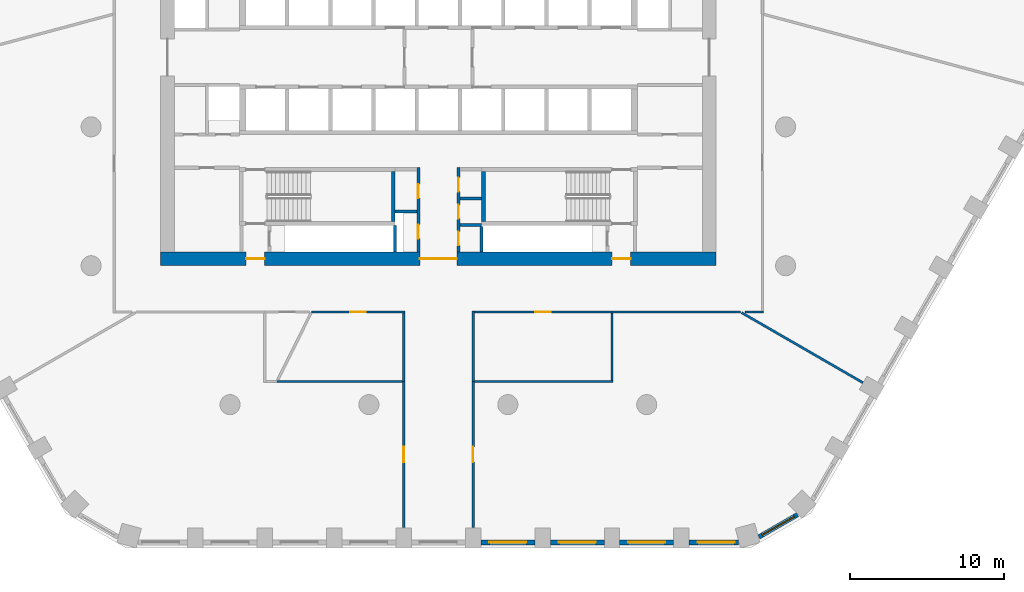
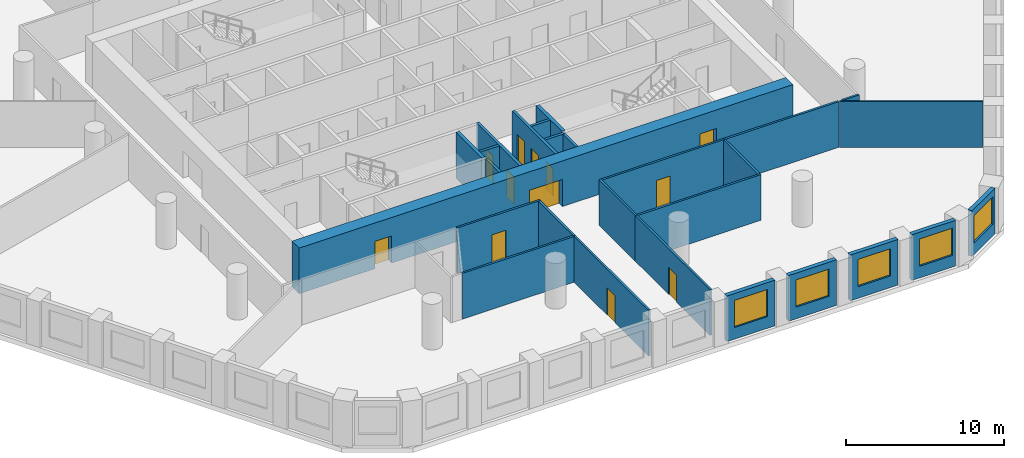
# One storey, part 3 of 9: 27 walls, 12 doors, 5 windows, 17 openings.
"""IFC4 building model written with IfcOpenShell, lengths in metres."""

from ifc_helpers import new_model, si_unit, direction, frame, frame_2d, origin, place, context, subcontext, project, spatial, rectangle, extrude, material, layer, layer_set, type_object, element, fill, save


model = new_model("IFC4")

# Units and contexts
model_context = context("Model", 3, precision=1e-05, world=origin(), true_north=direction((0.0, 1.0)))
body_context = subcontext(model_context, "Body", "Model", "MODEL_VIEW")
ifc_project = project(units=[si_unit("LENGTHUNIT", "METRE"), si_unit("AREAUNIT", "SQUARE_METRE"), si_unit("VOLUMEUNIT", "CUBIC_METRE"), si_unit("PLANEANGLEUNIT", "RADIAN"), si_unit("MASSUNIT", "GRAM", prefix="KILO")], contexts=[model_context])

# Site, building, storey
site_placement = place(None, origin())
site = spatial("IfcSite", under=ifc_project, at=site_placement, CompositionType="ELEMENT")
building_placement = place(site_placement, origin())
building = spatial("IfcBuilding", under=site, at=building_placement, Name="Dhurran Vertical Campus", CompositionType="ELEMENT")
storey_placement = place(building_placement, frame((0.0, 0.0, 120.300048828125)))
storey = spatial("IfcBuildingStorey", under=building, at=storey_placement, Name="L29", CompositionType="ELEMENT", Elevation=120.300048828125)

# Wall, opening, window
ifc_material_1 = material(Name="Precast concrete C50/60", Category="concrete")
ifc_layer_1 = layer(ifc_material_1, 0.300048828125)
ifc_layer_set_1 = layer_set([ifc_layer_1], Name="Precast concrete C50/60")
wall_type_1 = type_object("IfcWallType", Name="Precast spandrel wall 300", PredefinedType="SOLIDWALL", material=ifc_layer_set_1)
wall_1_placement = place(storey_placement, frame((2.75048828125, -31.4296875, 0.0), z_axis=(0.0, 0.0, 1.0), x_axis=(1.0, 0.0, 0.0)))
wall_1 = element("IfcWall", 1, at=wall_1_placement, inside=storey, type_object=wall_type_1, Name="EW1 L29.05", PredefinedType="SOLIDWALL", context=body_context, shape_type="SweptSolid", body=[
    extrude(rectangle(XDim=3.4990234375, YDim=0.300048828125, at=frame_2d((1.74951171875, 0.0))), origin(), (0.0, 0.0, 1.0), 3.52490234375),
])
opening_1_placement = place(wall_1_placement, frame((0.549560546875, 0.0, 0.89990234375)))
opening_1 = element("IfcOpeningElement", 2, at=opening_1_placement, cuts=wall_1, Name="Opening WT1", PredefinedType="OPENING", context=body_context, shape_type="SweptSolid", body=[
    extrude(rectangle(XDim=2.39990234375, YDim=2.10009765625, at=frame_2d((1.199951171875, 1.050048828125))), frame((0.0, 0.159912109375, 0.0), z_axis=(0.0, -1.0, 0.0), x_axis=(1.0, 0.0, 0.0)), (0.0, 0.0, 1.0), 0.320068359375),
])
ifc_material_2 = material(Name="Aluminium frame with solar-control glass", Category="aluminium")
window_type = type_object("IfcWindowType", Name="Punched window 2400 x 2100", PartitioningType="SINGLE_PANEL", PredefinedType="WINDOW", material=ifc_material_2)
window_1_placement = place(opening_1_placement, origin())
window_1 = element("IfcWindow", 3, at=window_1_placement, inside=storey, type_object=window_type, Name="WT1 L29.05", OverallHeight=2.10009765625, OverallWidth=2.39990234375, PartitioningType="SINGLE_PANEL", PredefinedType="WINDOW", context=body_context, shape_type="SweptSolid", body=[
    extrude(rectangle(XDim=2.39990234375, YDim=2.10009765625, at=frame_2d((1.199951171875, 1.050048828125))), frame((0.0, 0.030029296875, 0.0), z_axis=(0.0, -1.0, 0.0), x_axis=(1.0, 0.0, 0.0)), (0.0, 0.0, 1.0), 0.06005859375),
])
fill(opening_1, window_1)

wall_2_placement = place(storey_placement, frame((7.25048828125, -31.4296875, 0.0), z_axis=(0.0, 0.0, 1.0), x_axis=(1.0, 0.0, 0.0)))
wall_2 = element("IfcWall", 4, at=wall_2_placement, inside=storey, type_object=wall_type_1, Name="EW1 L29.06", PredefinedType="SOLIDWALL", context=body_context, shape_type="SweptSolid", body=[
    extrude(rectangle(XDim=3.4990234375, YDim=0.300048828125, at=frame_2d((1.74951171875, 0.0))), origin(), (0.0, 0.0, 1.0), 3.52490234375),
])
opening_2_placement = place(wall_2_placement, frame((0.549560546875, 0.0, 0.89990234375)))
opening_2 = element("IfcOpeningElement", 5, at=opening_2_placement, cuts=wall_2, Name="Opening WT1", PredefinedType="OPENING", context=body_context, shape_type="SweptSolid", body=[
    extrude(rectangle(XDim=2.39990234375, YDim=2.10009765625, at=frame_2d((1.199951171875, 1.050048828125))), frame((0.0, 0.159912109375, 0.0), z_axis=(0.0, -1.0, 0.0), x_axis=(1.0, 0.0, 0.0)), (0.0, 0.0, 1.0), 0.320068359375),
])
window_2_placement = place(opening_2_placement, origin())
window_2 = element("IfcWindow", 6, at=window_2_placement, inside=storey, type_object=window_type, Name="WT1 L29.06", OverallHeight=2.10009765625, OverallWidth=2.39990234375, PartitioningType="SINGLE_PANEL", PredefinedType="WINDOW", context=body_context, shape_type="SweptSolid", body=[
    extrude(rectangle(XDim=2.39990234375, YDim=2.10009765625, at=frame_2d((1.199951171875, 1.050048828125))), frame((0.0, 0.030029296875, 0.0), z_axis=(0.0, -1.0, 0.0), x_axis=(1.0, 0.0, 0.0)), (0.0, 0.0, 1.0), 0.06005859375),
])
fill(opening_2, window_2)

wall_3_placement = place(storey_placement, frame((11.75048828125, -31.4296875, 0.0), z_axis=(0.0, 0.0, 1.0), x_axis=(1.0, 0.0, 0.0)))
wall_3 = element("IfcWall", 7, at=wall_3_placement, inside=storey, type_object=wall_type_1, Name="EW1 L29.07", PredefinedType="SOLIDWALL", context=body_context, shape_type="SweptSolid", body=[
    extrude(rectangle(XDim=3.4990234375, YDim=0.300048828125, at=frame_2d((1.74951171875, 0.0))), origin(), (0.0, 0.0, 1.0), 3.52490234375),
])
opening_3_placement = place(wall_3_placement, frame((0.549560546875, 0.0, 0.89990234375)))
opening_3 = element("IfcOpeningElement", 8, at=opening_3_placement, cuts=wall_3, Name="Opening WT1", PredefinedType="OPENING", context=body_context, shape_type="SweptSolid", body=[
    extrude(rectangle(XDim=2.39990234375, YDim=2.10009765625, at=frame_2d((1.199951171875, 1.050048828125))), frame((0.0, 0.159912109375, 0.0), z_axis=(0.0, -1.0, 0.0), x_axis=(1.0, 0.0, 0.0)), (0.0, 0.0, 1.0), 0.320068359375),
])
window_3_placement = place(opening_3_placement, origin())
window_3 = element("IfcWindow", 9, at=window_3_placement, inside=storey, type_object=window_type, Name="WT1 L29.07", OverallHeight=2.10009765625, OverallWidth=2.39990234375, PartitioningType="SINGLE_PANEL", PredefinedType="WINDOW", context=body_context, shape_type="SweptSolid", body=[
    extrude(rectangle(XDim=2.39990234375, YDim=2.10009765625, at=frame_2d((1.199951171875, 1.050048828125))), frame((0.0, 0.030029296875, 0.0), z_axis=(0.0, -1.0, 0.0), x_axis=(1.0, 0.0, 0.0)), (0.0, 0.0, 1.0), 0.06005859375),
])
fill(opening_3, window_3)

wall_4_placement = place(storey_placement, frame((16.25048828125, -31.4296875, 0.0), z_axis=(0.0, 0.0, 1.0), x_axis=(1.0, 0.0, 0.0)))
wall_4 = element("IfcWall", 10, at=wall_4_placement, inside=storey, type_object=wall_type_1, Name="EW1 L29.08", PredefinedType="SOLIDWALL", context=body_context, shape_type="SweptSolid", body=[
    extrude(rectangle(XDim=3.1923828125, YDim=0.300048828125, at=frame_2d((1.59619140625, 0.0))), origin(), (0.0, 0.0, 1.0), 3.52490234375),
])
opening_4_placement = place(wall_4_placement, frame((0.549560546875, 0.0, 0.89990234375)))
opening_4 = element("IfcOpeningElement", 11, at=opening_4_placement, cuts=wall_4, Name="Opening WT1", PredefinedType="OPENING", context=body_context, shape_type="SweptSolid", body=[
    extrude(rectangle(XDim=2.39990234375, YDim=2.10009765625, at=frame_2d((1.199951171875, 1.050048828125))), frame((0.0, 0.159912109375, 0.0), z_axis=(0.0, -1.0, 0.0), x_axis=(1.0, 0.0, 0.0)), (0.0, 0.0, 1.0), 0.320068359375),
])
window_4_placement = place(opening_4_placement, origin())
window_4 = element("IfcWindow", 12, at=window_4_placement, inside=storey, type_object=window_type, Name="WT1 L29.08", OverallHeight=2.10009765625, OverallWidth=2.39990234375, PartitioningType="SINGLE_PANEL", PredefinedType="WINDOW", context=body_context, shape_type="SweptSolid", body=[
    extrude(rectangle(XDim=2.39990234375, YDim=2.10009765625, at=frame_2d((1.199951171875, 1.050048828125))), frame((0.0, 0.030029296875, 0.0), z_axis=(0.0, -1.0, 0.0), x_axis=(1.0, 0.0, 0.0)), (0.0, 0.0, 1.0), 0.06005859375),
])
fill(opening_4, window_4)

wall_5_placement = place(storey_placement, frame((20.774169921875, -31.072998046875, 0.0), z_axis=(0.0, 0.0, 1.0), x_axis=(0.866053149362, 0.49995194017, 0.0)))
wall_5 = element("IfcWall", 13, at=wall_5_placement, inside=storey, type_object=wall_type_1, Name="EW1 L29.09", PredefinedType="SOLIDWALL", context=body_context, shape_type="SweptSolid", body=[
    extrude(rectangle(XDim=2.885498046875, YDim=0.300048828125, at=frame_2d((1.44287109375, 0.0))), origin(), (0.0, 0.0, 1.0), 3.52490234375),
])
opening_5_placement = place(wall_5_placement, frame((0.242919921875, 0.0, 0.89990234375)))
opening_5 = element("IfcOpeningElement", 14, at=opening_5_placement, cuts=wall_5, Name="Opening WT1", PredefinedType="OPENING", context=body_context, shape_type="SweptSolid", body=[
    extrude(rectangle(XDim=2.39990234375, YDim=2.10009765625, at=frame_2d((1.199951171875, 1.050048828125))), frame((0.0, 0.159912109375, 0.0), z_axis=(0.0, -1.0, 0.0), x_axis=(1.0, 0.0, 0.0)), (0.0, 0.0, 1.0), 0.320068359375),
])
window_5_placement = place(opening_5_placement, origin())
window_5 = element("IfcWindow", 15, at=window_5_placement, inside=storey, type_object=window_type, Name="WT1 L29.09", OverallHeight=2.10009765625, OverallWidth=2.39990234375, PartitioningType="SINGLE_PANEL", PredefinedType="WINDOW", context=body_context, shape_type="SweptSolid", body=[
    extrude(rectangle(XDim=2.39990234375, YDim=2.10009765625, at=frame_2d((1.199951171875, 1.050048828125))), frame((0.0, 0.030029296875, 0.0), z_axis=(0.0, -1.0, 0.0), x_axis=(1.0, 0.0, 0.0)), (0.0, 0.0, 1.0), 0.06005859375),
])
fill(opening_5, window_5)

# Wall, openings, doors
ifc_material_3 = material(Name="Concrete C60/75", Category="concrete")
ifc_layer_2 = layer(ifc_material_3, 0.89990234375)
ifc_layer_set_2 = layer_set([ifc_layer_2], Name="Concrete C60/75")
wall_type_2 = type_object("IfcWallType", Name="co-CORE-WALL-C0-900", PredefinedType="SHEAR", material=ifc_layer_set_2)
wall_6_placement = place(storey_placement, frame((-18.0, -13.050048828125, 0.0), z_axis=(0.0, 0.0, 1.0), x_axis=(1.0, 0.0, 0.0)))
wall_6 = element("IfcWall", 16, at=wall_6_placement, inside=storey, type_object=wall_type_2, Name="Core wall S L29", PredefinedType="SHEAR", context=body_context, shape_type="SweptSolid", body=[
    extrude(rectangle(XDim=36.0, YDim=0.89990234375, at=frame_2d((18.0, 0.0))), origin(), (0.0, 0.0, 1.0), 3.52490234375),
])
opening_6_placement = place(wall_6_placement, frame((16.800048828125, 0.0, 0.0)))
opening_6 = element("IfcOpeningElement", 17, at=opening_6_placement, cuts=wall_6, Name="Opening CV2", PredefinedType="OPENING", context=body_context, shape_type="SweptSolid", body=[
    extrude(rectangle(XDim=2.39990234375, YDim=2.10009765625, at=frame_2d((1.199951171875, 1.050048828125))), frame((0.0, 0.4599609375, 0.0), z_axis=(0.0, -1.0, 0.0), x_axis=(1.0, 0.0, 0.0)), (0.0, 0.0, 1.0), 0.919921875),
])
opening_7_placement = place(wall_6_placement, frame((5.550048828125, 0.0, 0.0)))
opening_7 = element("IfcOpeningElement", 18, at=opening_7_placement, cuts=wall_6, Name="Opening XD3", PredefinedType="OPENING", context=body_context, shape_type="SweptSolid", body=[
    extrude(rectangle(XDim=1.199951171875, YDim=2.10009765625, at=frame_2d((0.60009765625, 1.050048828125))), frame((0.0, 0.4599609375, 0.0), z_axis=(0.0, -1.0, 0.0), x_axis=(1.0, 0.0, 0.0)), (0.0, 0.0, 1.0), 0.919921875),
])
opening_8_placement = place(wall_6_placement, frame((29.25, 0.0, 0.0)))
opening_8 = element("IfcOpeningElement", 19, at=opening_8_placement, cuts=wall_6, Name="Opening XD4", PredefinedType="OPENING", context=body_context, shape_type="SweptSolid", body=[
    extrude(rectangle(XDim=1.199951171875, YDim=2.10009765625, at=frame_2d((0.60009765625, 1.050048828125))), frame((0.0, 0.4599609375, 0.0), z_axis=(0.0, -1.0, 0.0), x_axis=(1.0, 0.0, 0.0)), (0.0, 0.0, 1.0), 0.919921875),
])
ifc_material_4 = material(Name="Fire-rated glazed door set")
door_type_1 = type_object("IfcDoorType", Name="co-D-LOBBY 2400x2100", OperationType="DOUBLE_DOOR_DOUBLE_SWING", PredefinedType="DOOR", material=ifc_material_4)
door_1_placement = place(opening_6_placement, origin())
door_1 = element("IfcDoor", 20, at=door_1_placement, inside=storey, type_object=door_type_1, Name="Core vestibule door S L29", OperationType="DOUBLE_DOOR_DOUBLE_SWING", OverallHeight=2.10009765625, OverallWidth=2.39990234375, PredefinedType="DOOR", context=body_context, shape_type="SweptSolid", body=[
    extrude(rectangle(XDim=2.39990234375, YDim=2.10009765625, at=frame_2d((1.199951171875, 1.050048828125))), frame((0.0, 0.02490234375, 0.0), z_axis=(0.0, -1.0, 0.0), x_axis=(1.0, 0.0, 0.0)), (0.0, 0.0, 1.0), 0.050048828125),
])
fill(opening_6, door_1)
ifc_material_5 = material(Name="Fire-rated steel door set", Category="steel")
door_type_2 = type_object("IfcDoorType", Name="co-D-STAIR-EXIT 1200x2100", OperationType="SINGLE_SWING_RIGHT", PredefinedType="DOOR", material=ifc_material_5)
door_2_placement = place(opening_7_placement, origin())
door_2 = element("IfcDoor", 21, at=door_2_placement, inside=storey, type_object=door_type_2, Name="Stair ST3 exit door L29", OperationType="SINGLE_SWING_RIGHT", OverallHeight=2.10009765625, OverallWidth=1.199951171875, PredefinedType="DOOR", context=body_context, shape_type="SweptSolid", body=[
    extrude(rectangle(XDim=1.199951171875, YDim=2.10009765625, at=frame_2d((0.60009765625, 1.050048828125))), frame((0.0, 0.02490234375, 0.0), z_axis=(0.0, -1.0, 0.0), x_axis=(1.0, 0.0, 0.0)), (0.0, 0.0, 1.0), 0.050048828125),
])
fill(opening_7, door_2)
door_3_placement = place(opening_8_placement, origin())
door_3 = element("IfcDoor", 22, at=door_3_placement, inside=storey, type_object=door_type_2, Name="Stair ST4 exit door L29", OperationType="SINGLE_SWING_RIGHT", OverallHeight=2.10009765625, OverallWidth=1.199951171875, PredefinedType="DOOR", context=body_context, shape_type="SweptSolid", body=[
    extrude(rectangle(XDim=1.199951171875, YDim=2.10009765625, at=frame_2d((0.60009765625, 1.050048828125))), frame((0.0, 0.02490234375, 0.0), z_axis=(0.0, -1.0, 0.0), x_axis=(1.0, 0.0, 0.0)), (0.0, 0.0, 1.0), 0.050048828125),
])
fill(opening_8, door_3)

# Walls
ifc_material_6 = material(Name="Fire-rated masonry blockwork", Category="masonry")
ifc_layer_3 = layer(ifc_material_6, 0.199951171875)
ifc_layer_set_3 = layer_set([ifc_layer_3], Name="Fire-rated masonry blockwork")
wall_type_3 = type_object("IfcWallType", Name="co-FIRE-PARTITION-200", PredefinedType="PARTITIONING", material=ifc_layer_set_3)
for number, where, z_axis, x_axis, name in (
    (23, (-2.800048828125, -9.97509765625, 0.0), (0.0, 0.0, 1.0), (1.0, 0.0, 0.0), "Core partition sl-SW-cut0 L29"),
    (24, (1.39990234375, -9.135009765625, 0.0), (0.0, 0.0, 1.0), (1.0, 0.0, 0.0), "Core partition sl-SE-cut0 L29"),
    (25, (1.39990234375, -10.867431640625, 0.0), (0.0, 0.0, 1.0), (1.0, 0.0, 0.0), "Core partition sl-SE-cut1 L29"),
):
    element("IfcWall", number, at=place(storey_placement, frame(where, z_axis=z_axis, x_axis=x_axis)), inside=storey, type_object=wall_type_3, Name=name, PredefinedType="PARTITIONING", context=body_context, shape_type="SweptSolid", body=[
        extrude(rectangle(XDim=1.400146484375, YDim=0.199951171875, at=frame_2d((0.7001953125, 0.0))), origin(), (0.0, 0.0, 1.0), 3.52490234375),
    ])

# Wall, openings, doors
wall_7_placement = place(storey_placement, frame((-1.300048828125, -12.60009765625, 0.0), z_axis=(0.0, 0.0, 1.0), x_axis=(0.0, 1.0, 0.0)))
wall_7 = element("IfcWall", 26, at=wall_7_placement, inside=storey, type_object=wall_type_3, Name="Core partition vest-SW L29", PredefinedType="PARTITIONING", context=body_context, shape_type="SweptSolid", body=[
    extrude(rectangle(XDim=5.4501953125, YDim=0.199951171875, at=frame_2d((2.72509765625, 0.0))), origin(), (0.0, 0.0, 1.0), 3.52490234375),
])
opening_9_placement = place(wall_7_placement, frame((0.862548828125, 0.0, 0.0)))
opening_9 = element("IfcOpeningElement", 27, at=opening_9_placement, cuts=wall_7, Name="Opening T08-C1", PredefinedType="OPENING", context=body_context, shape_type="SweptSolid", body=[
    extrude(rectangle(XDim=0.89990234375, YDim=2.10009765625, at=frame_2d((0.449951171875, 1.050048828125))), frame((0.0, 0.10986328125, 0.0), z_axis=(0.0, -1.0, 0.0), x_axis=(1.0, 0.0, 0.0)), (0.0, 0.0, 1.0), 0.219970703125),
])
opening_10_placement = place(wall_7_placement, frame((3.487548828125, 0.0, 0.0)))
opening_10 = element("IfcOpeningElement", 28, at=opening_10_placement, cuts=wall_7, Name="Opening T08-C2", PredefinedType="OPENING", context=body_context, shape_type="SweptSolid", body=[
    extrude(rectangle(XDim=0.89990234375, YDim=2.10009765625, at=frame_2d((0.449951171875, 1.050048828125))), frame((0.0, 0.10986328125, 0.0), z_axis=(0.0, -1.0, 0.0), x_axis=(1.0, 0.0, 0.0)), (0.0, 0.0, 1.0), 0.219970703125),
])
ifc_material_7 = material(Name="Fire-rated timber door set", Category="wood")
door_type_3 = type_object("IfcDoorType", Name="co-D-ROOM 900x2100", OperationType="SINGLE_SWING_LEFT", PredefinedType="DOOR", material=ifc_material_7)
door_4_placement = place(opening_9_placement, origin())
door_4 = element("IfcDoor", 29, at=door_4_placement, inside=storey, type_object=door_type_3, Name="Electrical riser door L29", OperationType="SINGLE_SWING_LEFT", OverallHeight=2.10009765625, OverallWidth=0.89990234375, PredefinedType="DOOR", context=body_context, shape_type="SweptSolid", body=[
    extrude(rectangle(XDim=0.89990234375, YDim=2.10009765625, at=frame_2d((0.449951171875, 1.050048828125))), frame((0.0, 0.02490234375, 0.0), z_axis=(0.0, -1.0, 0.0), x_axis=(1.0, 0.0, 0.0)), (0.0, 0.0, 1.0), 0.050048828125),
])
fill(opening_9, door_4)
door_5_placement = place(opening_10_placement, origin())
door_5 = element("IfcDoor", 30, at=door_5_placement, inside=storey, type_object=door_type_3, Name="Cleaner's store door L29", OperationType="SINGLE_SWING_LEFT", OverallHeight=2.10009765625, OverallWidth=0.89990234375, PredefinedType="DOOR", context=body_context, shape_type="SweptSolid", body=[
    extrude(rectangle(XDim=0.89990234375, YDim=2.10009765625, at=frame_2d((0.449951171875, 1.050048828125))), frame((0.0, 0.02490234375, 0.0), z_axis=(0.0, -1.0, 0.0), x_axis=(1.0, 0.0, 0.0)), (0.0, 0.0, 1.0), 0.050048828125),
])
fill(opening_10, door_5)

wall_8_placement = place(storey_placement, frame((1.300048828125, -12.60009765625, 0.0), z_axis=(0.0, 0.0, 1.0), x_axis=(0.0, 1.0, 0.0)))
wall_8 = element("IfcWall", 31, at=wall_8_placement, inside=storey, type_object=wall_type_3, Name="Core partition vest-SE L29", PredefinedType="PARTITIONING", context=body_context, shape_type="SweptSolid", body=[
    extrude(rectangle(XDim=5.4501953125, YDim=0.199951171875, at=frame_2d((2.72509765625, 0.0))), origin(), (0.0, 0.0, 1.0), 3.52490234375),
])
opening_11_placement = place(wall_8_placement, frame((0.416259765625, 0.0, 0.0)))
opening_11 = element("IfcOpeningElement", 32, at=opening_11_placement, cuts=wall_8, Name="Opening T08-C3", PredefinedType="OPENING", context=body_context, shape_type="SweptSolid", body=[
    extrude(rectangle(XDim=0.89990234375, YDim=2.10009765625, at=frame_2d((0.449951171875, 1.050048828125))), frame((0.0, 0.10986328125, 0.0), z_axis=(0.0, -1.0, 0.0), x_axis=(1.0, 0.0, 0.0)), (0.0, 0.0, 1.0), 0.219970703125),
])
opening_12_placement = place(wall_8_placement, frame((2.148681640625, 0.0, 0.0)))
opening_12 = element("IfcOpeningElement", 33, at=opening_12_placement, cuts=wall_8, Name="Opening T08-C4", PredefinedType="OPENING", context=body_context, shape_type="SweptSolid", body=[
    extrude(rectangle(XDim=0.89990234375, YDim=2.10009765625, at=frame_2d((0.449951171875, 1.050048828125))), frame((0.0, 0.10986328125, 0.0), z_axis=(0.0, -1.0, 0.0), x_axis=(1.0, 0.0, 0.0)), (0.0, 0.0, 1.0), 0.219970703125),
])
opening_13_placement = place(wall_8_placement, frame((3.907470703125, 0.0, 0.0)))
opening_13 = element("IfcOpeningElement", 34, at=opening_13_placement, cuts=wall_8, Name="Opening T08-C5", PredefinedType="OPENING", context=body_context, shape_type="SweptSolid", body=[
    extrude(rectangle(XDim=0.89990234375, YDim=2.10009765625, at=frame_2d((0.449951171875, 1.050048828125))), frame((0.0, 0.10986328125, 0.0), z_axis=(0.0, -1.0, 0.0), x_axis=(1.0, 0.0, 0.0)), (0.0, 0.0, 1.0), 0.219970703125),
])
door_6_placement = place(opening_11_placement, origin())
door_6 = element("IfcDoor", 35, at=door_6_placement, inside=storey, type_object=door_type_3, Name="Plant room door L29", OperationType="SINGLE_SWING_LEFT", OverallHeight=2.10009765625, OverallWidth=0.89990234375, PredefinedType="DOOR", context=body_context, shape_type="SweptSolid", body=[
    extrude(rectangle(XDim=0.89990234375, YDim=2.10009765625, at=frame_2d((0.449951171875, 1.050048828125))), frame((0.0, 0.02490234375, 0.0), z_axis=(0.0, -1.0, 0.0), x_axis=(1.0, 0.0, 0.0)), (0.0, 0.0, 1.0), 0.050048828125),
])
fill(opening_11, door_6)
door_7_placement = place(opening_12_placement, origin())
door_7 = element("IfcDoor", 36, at=door_7_placement, inside=storey, type_object=door_type_3, Name="Waste room door L29", OperationType="SINGLE_SWING_LEFT", OverallHeight=2.10009765625, OverallWidth=0.89990234375, PredefinedType="DOOR", context=body_context, shape_type="SweptSolid", body=[
    extrude(rectangle(XDim=0.89990234375, YDim=2.10009765625, at=frame_2d((0.449951171875, 1.050048828125))), frame((0.0, 0.02490234375, 0.0), z_axis=(0.0, -1.0, 0.0), x_axis=(1.0, 0.0, 0.0)), (0.0, 0.0, 1.0), 0.050048828125),
])
fill(opening_12, door_7)
door_8_placement = place(opening_13_placement, origin())
door_8 = element("IfcDoor", 37, at=door_8_placement, inside=storey, type_object=door_type_3, Name="Store door L29", OperationType="SINGLE_SWING_LEFT", OverallHeight=2.10009765625, OverallWidth=0.89990234375, PredefinedType="DOOR", context=body_context, shape_type="SweptSolid", body=[
    extrude(rectangle(XDim=0.89990234375, YDim=2.10009765625, at=frame_2d((0.449951171875, 1.050048828125))), frame((0.0, 0.02490234375, 0.0), z_axis=(0.0, -1.0, 0.0), x_axis=(1.0, 0.0, 0.0)), (0.0, 0.0, 1.0), 0.050048828125),
])
fill(opening_13, door_8)

# Walls
wall_9_placement = place(storey_placement, frame((-2.800048828125, -12.59912109375, 0.0), z_axis=(0.0, 0.0, 1.0), x_axis=(0.0, 1.0, 0.0)))
element("IfcWall", 38, at=wall_9_placement, inside=storey, type_object=wall_type_3, Name="Riser enclosure wall L29", PredefinedType="PARTITIONING", context=body_context, shape_type="SweptSolid", body=[
    extrude(rectangle(XDim=1.6982421875, YDim=0.199951171875, at=frame_2d((0.84912109375, 0.0))), origin(), (0.0, 0.0, 1.0), 3.52490234375),
])
wall_10_placement = place(storey_placement, frame((2.800048828125, -10.968505859375, 0.0), z_axis=(0.0, 0.0, 1.0), x_axis=(0.0, -1.0, 0.0)))
element("IfcWall", 39, at=wall_10_placement, inside=storey, type_object=wall_type_3, Name="Riser enclosure wall L29", PredefinedType="PARTITIONING", context=body_context, shape_type="SweptSolid", body=[
    extrude(rectangle(XDim=1.630615234375, YDim=0.199951171875, at=frame_2d((0.8154296875, 0.0))), origin(), (0.0, 0.0, 1.0), 3.52490234375),
])
ifc_material_8 = material(Name="Concrete C40/50", Category="concrete")
ifc_layer_4 = layer(ifc_material_8, 0.25)
ifc_layer_set_4 = layer_set([ifc_layer_4], Name="Concrete C40/50")
wall_type_4 = type_object("IfcWallType", Name="co-STAIR-WALL-250", PredefinedType="SHEAR", material=ifc_layer_set_4)
for number, where, z_axis, x_axis, name in (
    (40, (-2.925048828125, -10.64990234375, 0.0), (0.0, 0.0, 1.0), (0.0, 1.0, 0.0), "Stair ST3 enclosure wall L29"),
    (41, (2.925048828125, -10.64990234375, 0.0), (0.0, 0.0, 1.0), (0.0, 1.0, 0.0), "Stair ST4 enclosure wall L29"),
):
    element("IfcWall", number, at=place(storey_placement, frame(where, z_axis=z_axis, x_axis=x_axis)), inside=storey, type_object=wall_type_4, Name=name, PredefinedType="SHEAR", context=body_context, shape_type="SweptSolid", body=[
        extrude(rectangle(XDim=3.25, YDim=0.25, at=frame_2d((1.625, 0.0))), origin(), (0.0, 0.0, 1.0), 3.52490234375),
    ])

# Wall, opening, door
ifc_material_9 = material(Name="Gypsum board corridor wall on steel studs", Category="steel")
ifc_layer_5 = layer(ifc_material_9, 0.14990234375)
ifc_layer_set_5 = layer_set([ifc_layer_5], Name="Gypsum board corridor wall on steel studs")
wall_type_5 = type_object("IfcWallType", Name="fl-CW-150 corridor wall", PredefinedType="PARTITIONING", material=ifc_layer_set_5)
wall_11_placement = place(storey_placement, frame((-8.218017578125, -16.5, 0.0), z_axis=(0.0, 0.0, 1.0), x_axis=(1.0, 0.0, 0.0)))
wall_11 = element("IfcWall", 42, at=wall_11_placement, inside=storey, type_object=wall_type_5, Name="Partition 29-17", PredefinedType="PARTITIONING", context=body_context, shape_type="SweptSolid", body=[
    extrude(rectangle(XDim=6.04296875, YDim=0.14990234375, at=frame_2d((3.021484375, 0.0))), origin(), (0.0, 0.0, 1.0), 3.52490234375),
])
opening_14_placement = place(wall_11_placement, frame((2.521484375, 0.0, 0.0)))
opening_14 = element("IfcOpeningElement", 43, at=opening_14_placement, cuts=wall_11, Name="Opening T08.07", PredefinedType="OPENING", context=body_context, shape_type="SweptSolid", body=[
    extrude(rectangle(XDim=1.0, YDim=2.10009765625, at=frame_2d((0.5, 1.050048828125))), frame((0.0, 0.0849609375, 0.0), z_axis=(0.0, -1.0, 0.0), x_axis=(1.0, 0.0, 0.0)), (0.0, 0.0, 1.0), 0.169921875),
])
ifc_material_10 = material(Name="Solid-core timber door set, fire-rated", Category="wood")
door_type_4 = type_object("IfcDoorType", Name="fl-D-1000x2100", OperationType="SINGLE_SWING_LEFT", PredefinedType="DOOR", material=ifc_material_10)
door_9_placement = place(opening_14_placement, origin())
door_9 = element("IfcDoor", 44, at=door_9_placement, inside=storey, type_object=door_type_4, Name="Door 29.07", OperationType="SINGLE_SWING_RIGHT", OverallHeight=2.10009765625, OverallWidth=1.0, PredefinedType="DOOR", context=body_context, shape_type="SweptSolid", body=[
    extrude(rectangle(XDim=1.0, YDim=2.10009765625, at=frame_2d((0.5, 1.050048828125))), frame((0.0, 0.02490234375, 0.0), z_axis=(0.0, -1.0, 0.0), x_axis=(1.0, 0.0, 0.0)), (0.0, 0.0, 1.0), 0.050048828125),
])
fill(opening_14, door_9)

wall_12_placement = place(storey_placement, frame((-2.25, -30.459716796875, 0.0), z_axis=(0.0, 0.0, 1.0), x_axis=(0.0, 1.0, 0.0)))
wall_12 = element("IfcWall", 45, at=wall_12_placement, inside=storey, type_object=wall_type_5, Name="Partition 29-18", PredefinedType="PARTITIONING", context=body_context, shape_type="SweptSolid", body=[
    extrude(rectangle(XDim=9.459716796875, YDim=0.14990234375, at=frame_2d((4.72998046875, 0.0))), origin(), (0.0, 0.0, 1.0), 3.52490234375),
])
opening_15_placement = place(wall_12_placement, frame((4.22998046875, 0.0, 0.0)))
opening_15 = element("IfcOpeningElement", 46, at=opening_15_placement, cuts=wall_12, Name="Opening T08.04", PredefinedType="OPENING", context=body_context, shape_type="SweptSolid", body=[
    extrude(rectangle(XDim=1.0, YDim=2.10009765625, at=frame_2d((0.5, 1.050048828125))), frame((0.0, 0.0849609375, 0.0), z_axis=(0.0, -1.0, 0.0), x_axis=(1.0, 0.0, 0.0)), (0.0, 0.0, 1.0), 0.169921875),
])
door_10_placement = place(opening_15_placement, origin())
door_10 = element("IfcDoor", 47, at=door_10_placement, inside=storey, type_object=door_type_4, Name="Door 29.04", OperationType="SINGLE_SWING_LEFT", OverallHeight=2.10009765625, OverallWidth=1.0, PredefinedType="DOOR", context=body_context, shape_type="SweptSolid", body=[
    extrude(rectangle(XDim=1.0, YDim=2.10009765625, at=frame_2d((0.5, 1.050048828125))), frame((0.0, 0.02490234375, 0.0), z_axis=(0.0, -1.0, 0.0), x_axis=(1.0, 0.0, 0.0)), (0.0, 0.0, 1.0), 0.050048828125),
])
fill(opening_15, door_10)

# Wall
wall_13_placement = place(storey_placement, frame((-2.25, -21.0, 0.0), z_axis=(0.0, 0.0, 1.0), x_axis=(0.0, 1.0, 0.0)))
element("IfcWall", 48, at=wall_13_placement, inside=storey, type_object=wall_type_5, Name="Partition 29-19", PredefinedType="PARTITIONING", context=body_context, shape_type="SweptSolid", body=[
    extrude(rectangle(XDim=4.425048828125, YDim=0.14990234375, at=frame_2d((2.21240234375, 0.0))), origin(), (0.0, 0.0, 1.0), 3.52490234375),
])

# Wall, opening, door
wall_14_placement = place(storey_placement, frame((2.25, -21.0, 0.0), z_axis=(0.0, 0.0, 1.0), x_axis=(0.0, -1.0, 0.0)))
wall_14 = element("IfcWall", 49, at=wall_14_placement, inside=storey, type_object=wall_type_5, Name="Partition 29-22", PredefinedType="PARTITIONING", context=body_context, shape_type="SweptSolid", body=[
    extrude(rectangle(XDim=9.459716796875, YDim=0.14990234375, at=frame_2d((4.72998046875, 0.0))), origin(), (0.0, 0.0, 1.0), 3.52490234375),
])
opening_16_placement = place(wall_14_placement, frame((4.22998046875, 0.0, 0.0)))
opening_16 = element("IfcOpeningElement", 50, at=opening_16_placement, cuts=wall_14, Name="Opening T08.10", PredefinedType="OPENING", context=body_context, shape_type="SweptSolid", body=[
    extrude(rectangle(XDim=1.0, YDim=2.10009765625, at=frame_2d((0.5, 1.050048828125))), frame((0.0, 0.0849609375, 0.0), z_axis=(0.0, -1.0, 0.0), x_axis=(1.0, 0.0, 0.0)), (0.0, 0.0, 1.0), 0.169921875),
])
door_11_placement = place(opening_16_placement, origin())
door_11 = element("IfcDoor", 51, at=door_11_placement, inside=storey, type_object=door_type_4, Name="Door 29.10", OperationType="SINGLE_SWING_RIGHT", OverallHeight=2.10009765625, OverallWidth=1.0, PredefinedType="DOOR", context=body_context, shape_type="SweptSolid", body=[
    extrude(rectangle(XDim=1.0, YDim=2.10009765625, at=frame_2d((0.5, 1.050048828125))), frame((0.0, 0.02490234375, 0.0), z_axis=(0.0, -1.0, 0.0), x_axis=(1.0, 0.0, 0.0)), (0.0, 0.0, 1.0), 0.050048828125),
])
fill(opening_16, door_11)

# Wall
wall_15_placement = place(storey_placement, frame((2.25, -16.425048828125, 0.0), z_axis=(0.0, 0.0, 1.0), x_axis=(0.0, -1.0, 0.0)))
element("IfcWall", 52, at=wall_15_placement, inside=storey, type_object=wall_type_5, Name="Partition 29-23", PredefinedType="PARTITIONING", context=body_context, shape_type="SweptSolid", body=[
    extrude(rectangle(XDim=4.574951171875, YDim=0.14990234375, at=frame_2d((2.28759765625, 0.0))), origin(), (0.0, 0.0, 1.0), 3.52490234375),
])

# Wall, opening, door
wall_16_placement = place(storey_placement, frame((2.324951171875, -16.5, 0.0), z_axis=(0.0, 0.0, 1.0), x_axis=(1.0, 0.0, 0.0)))
wall_16 = element("IfcWall", 53, at=wall_16_placement, inside=storey, type_object=wall_type_5, Name="Partition 29-25", PredefinedType="PARTITIONING", context=body_context, shape_type="SweptSolid", body=[
    extrude(rectangle(XDim=8.925048828125, YDim=0.14990234375, at=frame_2d((4.46240234375, 0.0))), origin(), (0.0, 0.0, 1.0), 3.52490234375),
])
opening_17_placement = place(wall_16_placement, frame((3.96240234375, 0.0, 0.0)))
opening_17 = element("IfcOpeningElement", 54, at=opening_17_placement, cuts=wall_16, Name="Opening T08.08", PredefinedType="OPENING", context=body_context, shape_type="SweptSolid", body=[
    extrude(rectangle(XDim=1.0, YDim=2.10009765625, at=frame_2d((0.5, 1.050048828125))), frame((0.0, 0.0849609375, 0.0), z_axis=(0.0, -1.0, 0.0), x_axis=(1.0, 0.0, 0.0)), (0.0, 0.0, 1.0), 0.169921875),
])
door_12_placement = place(opening_17_placement, origin())
door_12 = element("IfcDoor", 55, at=door_12_placement, inside=storey, type_object=door_type_4, Name="Door 29.08", OperationType="SINGLE_SWING_RIGHT", OverallHeight=2.10009765625, OverallWidth=1.0, PredefinedType="DOOR", context=body_context, shape_type="SweptSolid", body=[
    extrude(rectangle(XDim=1.0, YDim=2.10009765625, at=frame_2d((0.5, 1.050048828125))), frame((0.0, 0.02490234375, 0.0), z_axis=(0.0, -1.0, 0.0), x_axis=(1.0, 0.0, 0.0)), (0.0, 0.0, 1.0), 0.050048828125),
])
fill(opening_17, door_12)

# Walls
wall_17_placement = place(storey_placement, frame((11.25, -16.5, 0.0), z_axis=(0.0, 0.0, 1.0), x_axis=(1.0, 0.0, 0.0)))
element("IfcWall", 56, at=wall_17_placement, inside=storey, type_object=wall_type_5, Name="Partition 29-27", PredefinedType="PARTITIONING", context=body_context, shape_type="SweptSolid", body=[
    extrude(rectangle(XDim=8.3291015625, YDim=0.14990234375, at=frame_2d((4.16455078125, 0.0))), origin(), (0.0, 0.0, 1.0), 3.52490234375),
])
wall_18_placement = place(storey_placement, frame((19.85400390625, -16.5, 0.0), z_axis=(0.0, 0.0, 1.0), x_axis=(1.0, 0.0, 0.0)))
element("IfcWall", 57, at=wall_18_placement, inside=storey, type_object=wall_type_5, Name="Partition 29-30", PredefinedType="PARTITIONING", context=body_context, shape_type="SweptSolid", body=[
    extrude(rectangle(XDim=1.220947265625, YDim=0.14990234375, at=frame_2d((0.6103515625, 0.0))), origin(), (0.0, 0.0, 1.0), 3.52490234375),
])
ifc_material_11 = material(Name="Gypsum board partition on steel studs", Category="steel")
ifc_layer_6 = layer(ifc_material_11, 0.14990234375)
ifc_layer_set_6 = layer_set([ifc_layer_6], Name="Gypsum board partition on steel studs")
wall_type_6 = type_object("IfcWallType", Name="fl-PW-150 fixed partition", PredefinedType="PARTITIONING", material=ifc_layer_set_6)
wall_19_placement = place(storey_placement, frame((-10.4609375, -21.0, 0.0), z_axis=(0.0, 0.0, 1.0), x_axis=(1.0, 0.0, 0.0)))
element("IfcWall", 58, at=wall_19_placement, inside=storey, type_object=wall_type_6, Name="Partition 29-16", PredefinedType="PARTITIONING", context=body_context, shape_type="SweptSolid", body=[
    extrude(rectangle(XDim=8.135986328125, YDim=0.14990234375, at=frame_2d((4.06787109375, 0.0))), origin(), (0.0, 0.0, 1.0), 3.52490234375),
])
wall_20_placement = place(storey_placement, frame((11.324951171875, -21.0, 0.0), z_axis=(0.0, 0.0, 1.0), x_axis=(-1.0, 0.0, 0.0)))
element("IfcWall", 59, at=wall_20_placement, inside=storey, type_object=wall_type_6, Name="Partition 29-24", PredefinedType="PARTITIONING", context=body_context, shape_type="SweptSolid", body=[
    extrude(rectangle(XDim=9.0, YDim=0.14990234375, at=frame_2d((4.5, 0.0))), origin(), (0.0, 0.0, 1.0), 3.52490234375),
])
wall_21_placement = place(storey_placement, frame((11.25, -16.574951171875, 0.0), z_axis=(0.0, 0.0, 1.0), x_axis=(0.0, -1.0, 0.0)))
element("IfcWall", 60, at=wall_21_placement, inside=storey, type_object=wall_type_6, Name="Partition 29-26", PredefinedType="PARTITIONING", context=body_context, shape_type="SweptSolid", body=[
    extrude(rectangle(XDim=4.35009765625, YDim=0.14990234375, at=frame_2d((2.175048828125, 0.0))), origin(), (0.0, 0.0, 1.0), 3.52490234375),
])
wall_22_placement = place(storey_placement, frame((19.643798828125, -16.53759765625, 0.0), z_axis=(0.0, 0.0, 1.0), x_axis=(0.866004606565, -0.500036020111, 0.0)))
element("IfcWall", 61, at=wall_22_placement, inside=storey, type_object=wall_type_6, Name="Partition 29-31", PredefinedType="PARTITIONING", context=body_context, shape_type="SweptSolid", body=[
    extrude(rectangle(XDim=9.075927734375, YDim=0.14990234375, at=frame_2d((4.5380859375, 0.0))), origin(), (0.0, 0.0, 1.0), 3.52490234375),
])

save(model, "model.ifc")
